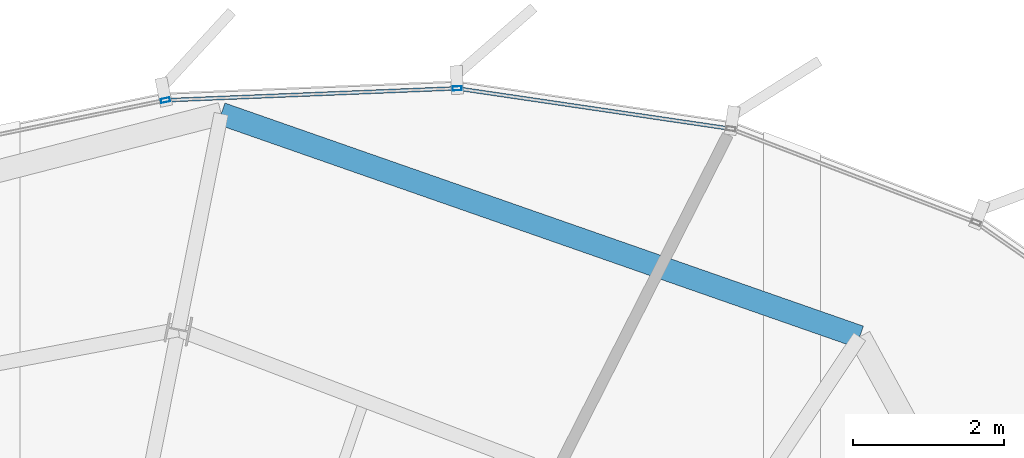
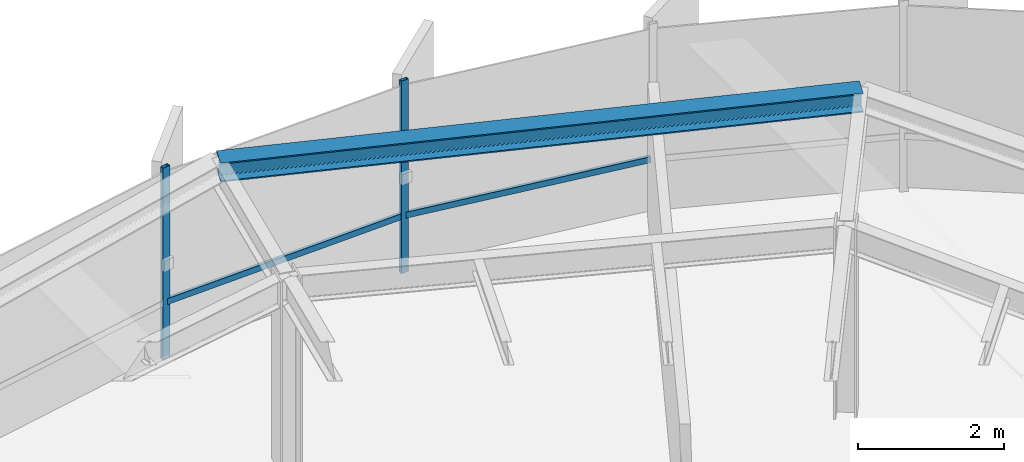
# One storey, part 24 of 36: 4 members, 1 beam, 1 element without a shape of its own.
"""IFC4 building model written with IfcOpenShell, lengths in metres."""

from ifc_helpers import new_model, si_unit, direction, frame, origin, origin_2d, place, context, subcontext, project, spatial, hollow_rectangle, i_section, extrude, source, transform, mapped, material, layer, layer_set, material_profile, profile_set, type_object, element, aggregate, save


model = new_model("IFC4")

# Units and contexts
model_context = context("Model", 3, precision=1e-05, world=origin(), true_north=direction((0.0, 1.0)))
body_context = subcontext(model_context, "Body", "Model", "MODEL_VIEW")
ifc_project = project(units=[si_unit("LENGTHUNIT", "METRE"), si_unit("AREAUNIT", "SQUARE_METRE"), si_unit("VOLUMEUNIT", "CUBIC_METRE"), si_unit("PLANEANGLEUNIT", "RADIAN"), si_unit("MASSUNIT", "GRAM", prefix="KILO"), si_unit("THERMODYNAMICTEMPERATUREUNIT", "KELVIN")], contexts=[model_context])

# Site, building, storey
site_placement = place(None, origin())
site = spatial("IfcSite", under=ifc_project, at=site_placement, CompositionType="ELEMENT")
building_placement = place(site_placement, origin())
building = spatial("IfcBuilding", under=site, at=building_placement, Name="Kethvar Cultural Tower", CompositionType="ELEMENT")
storey_placement = place(building_placement, frame((0.0, 0.0, 228.39990234375)))
storey = spatial("IfcBuildingStorey", under=building, at=storey_placement, Name="L59", CompositionType="ELEMENT", Elevation=228.39990234375)

# Beam
ifc_material_1 = material(Name="Steel S355J2", Category="steel")
ifc_material_profile_1 = material_profile(ifc_material_1, i_section(OverallWidth=0.300048828125, OverallDepth=0.320068359375, WebThickness=0.011474609375, FlangeThickness=0.0205078125, FilletRadius=0.027099609375, at=origin_2d()), Name="Steel S355J2 — HEB320")
ifc_profile_set_1 = profile_set([ifc_material_profile_1], Name="Steel S355J2 — HEB320")
beam_type = type_object("IfcBeamType", Name="BM-SP320", PredefinedType="SPANDREL", material=ifc_profile_set_1)
shared_shape_1 = source(origin(), body_context, "Body", "SweptSolid", [
    extrude(i_section(OverallWidth=0.300048828125, OverallDepth=0.320068359375, WebThickness=0.011474609375, FlangeThickness=0.0205078125, FilletRadius=0.027099609375, at=origin_2d()), origin(), (0.0, 0.0, 1.0), 8.9404296875),
])
beam_placement = place(storey_placement, frame((59.653076171875, 47.035888671875, 3.048095703125), z_axis=(-0.944035747012, 0.329843157217, 0.0), x_axis=(-0.329843157217, -0.944035747012, 0.0)))
element("IfcBeam", 1, at=beam_placement, inside=storey, type_object=beam_type, Name="L59 Perimeter Spandrel Beam SP-03", PredefinedType="SPANDREL", context=body_context, shape_type="MappedRepresentation", body=[
    mapped(shared_shape_1, transform((0.0, 0.0, 0.0), scale=1.0)),
])

# Curtain wall, members
ifc_material_2 = material(Name="Aluminium 6063-T6", Category="aluminium")
ifc_layer = layer(ifc_material_2, 0.179931640625, Name="Aluminium 6063-T6", Category="aluminium")
ifc_layer_set = layer_set([ifc_layer], Name="Aluminium 6063-T6 (180 mm)")
curtain_wall_type = type_object("IfcCurtainWallType", Name="CW-SYS-05-Z56", PredefinedType="NOTDEFINED", material=ifc_layer_set)
curtain_wall_placement = place(storey_placement, origin())
curtain_wall = element("IfcCurtainWall", 2, at=curtain_wall_placement, inside=storey, type_object=curtain_wall_type, Name="L59 Curtain Wall Run 01", PredefinedType="NOTDEFINED")
ifc_material_profile_2 = material_profile(ifc_material_2, hollow_rectangle(XDim=0.054931640625, YDim=0.1201171875, WallThickness=0.00390625, at=origin_2d()), Name="Aluminium 6063-T6 — RHS120x55x4")
ifc_profile_set_2 = profile_set([ifc_material_profile_2], Name="Aluminium 6063-T6 — RHS120x55x4")
member_type_1 = type_object("IfcMemberType", Name="CW-SYS-05-Z56-MUL", PredefinedType="MULLION", material=ifc_profile_set_2)
shared_shape_2 = source(origin(), body_context, "Body", "SweptSolid", [
    extrude(hollow_rectangle(XDim=0.054931640625, YDim=0.1201171875, WallThickness=0.00390625, at=origin_2d()), origin(), (0.0, 0.0, 1.0), 3.210205078125),
])
member_1_placement = place(storey_placement, frame((54.332275390625, 50.321044921875, 0.0), z_axis=(0.0, 0.0, 1.0), x_axis=(0.040986300124, -0.999159708556, 0.0)))
member_1 = element("IfcMember", 3, at=member_1_placement, type_object=member_type_1, Name="CW-L59-R01 Mullion 4", PredefinedType="MULLION", context=body_context, shape_type="MappedRepresentation", body=[
    mapped(shared_shape_2, transform((0.0, 0.0, 0.0), scale=1.0)),
])
member_2_placement = place(storey_placement, frame((50.4755859375, 50.1640625, 0.0), z_axis=(0.0, 0.0, 1.0), x_axis=(0.201642082605, -0.979459274561, 0.0)))
member_2 = element("IfcMember", 4, at=member_2_placement, type_object=member_type_1, Name="CW-L59-R01 Mullion 5", PredefinedType="MULLION", context=body_context, shape_type="MappedRepresentation", body=[
    mapped(shared_shape_2, transform((0.0, 0.0, 0.0), scale=1.0)),
])
ifc_material_profile_3 = material_profile(ifc_material_2, hollow_rectangle(XDim=0.050048828125, YDim=0.10009765625, WallThickness=0.00390625, at=origin_2d()), Name="Aluminium 6063-T6 — RHS100x50x4")
ifc_profile_set_3 = profile_set([ifc_material_profile_3], Name="Aluminium 6063-T6 — RHS100x50x4")
member_type_2 = type_object("IfcMemberType", Name="CW-SYS-05-Z56-TRN", PredefinedType="USERDEFINED", material=ifc_profile_set_3)
shared_shape_3 = source(origin(), body_context, "Body", "SweptSolid", [
    extrude(hollow_rectangle(XDim=0.050048828125, YDim=0.10009765625, WallThickness=0.00390625, at=origin_2d()), origin(), (0.0, 0.0, 1.0), 3.59716796875),
])
member_3_placement = place(storey_placement, frame((57.91162109375, 49.791748046875, 0.9501953125), z_axis=(-0.989316855542, 0.145781203657, 0.0), x_axis=(-0.145781203657, -0.989316855542, 0.0)))
member_3 = element("IfcMember", 5, at=member_3_placement, type_object=member_type_2, Name="CW-L59-R01 Transom 3", ObjectType="TRANSOM", PredefinedType="USERDEFINED", context=body_context, shape_type="MappedRepresentation", body=[
    mapped(shared_shape_3, transform((0.0, 0.0, 0.0), scale=1.0)),
])
shared_shape_4 = source(origin(), body_context, "Body", "SweptSolid", [
    extrude(hollow_rectangle(XDim=0.050048828125, YDim=0.10009765625, WallThickness=0.00390625, at=origin_2d()), origin(), (0.0, 0.0, 1.0), 3.796875),
])
member_4_placement = place(storey_placement, frame((54.292724609375, 50.3193359375, 0.9501953125), z_axis=(-0.999160818714, -0.040959227847, 0.0), x_axis=(0.040959227847, -0.999160818714, 0.0)))
member_4 = element("IfcMember", 6, at=member_4_placement, type_object=member_type_2, Name="CW-L59-R01 Transom 4", ObjectType="TRANSOM", PredefinedType="USERDEFINED", context=body_context, shape_type="MappedRepresentation", body=[
    mapped(shared_shape_4, transform((0.0, 0.0, 0.0), scale=1.0)),
])
aggregate(curtain_wall, [member_1, member_2, member_3, member_4])

save(model, "model.ifc")
